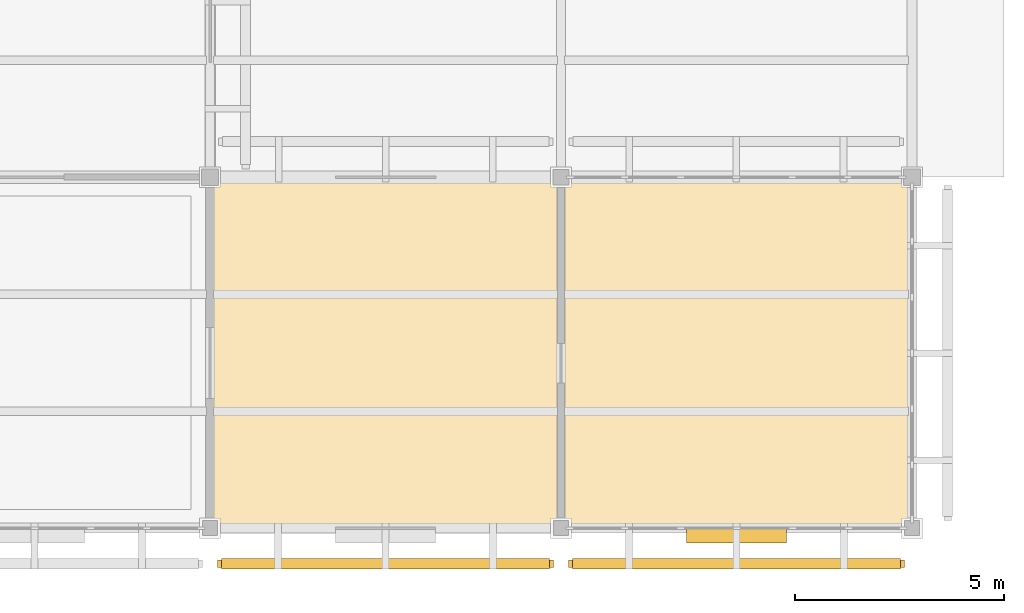
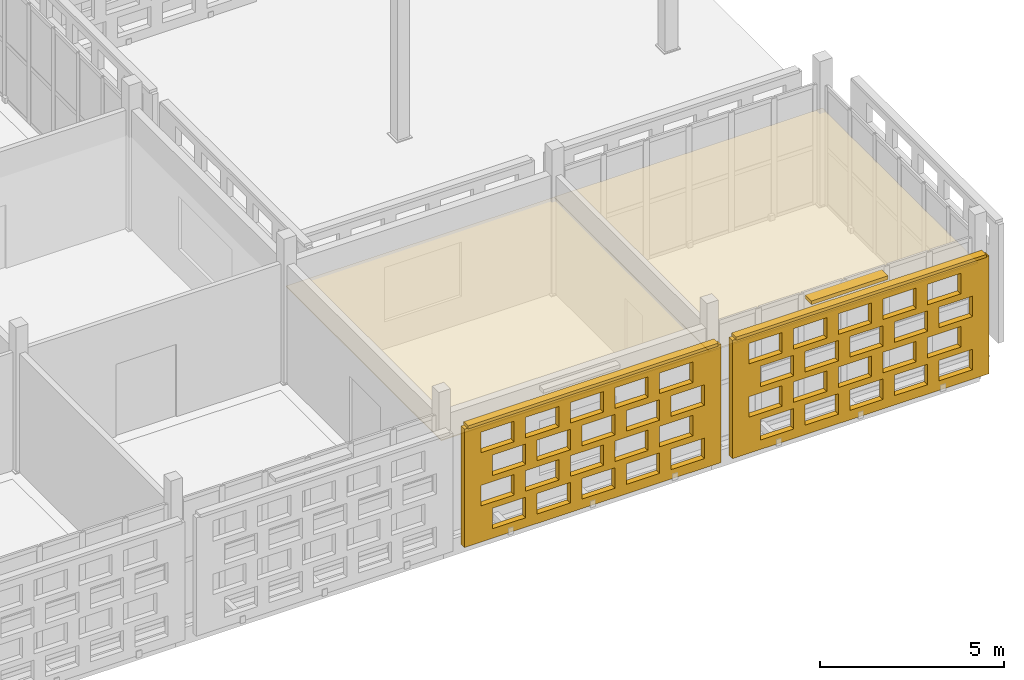
# One storey, part 185 of 203: 4 coverings, 3 shading devices, 40 openings.
"""IFC4 building model written with IfcOpenShell, lengths in metres."""

import ifcopenshell
import ifcopenshell.guid

model = None  # the IFC model being written
_history = None  # IfcOwnerHistory: only IFC2X3 demands one
_inside = {}  # id of a spatial element -> (the spatial element, [elements in it])
_under = {}  # id of a project, library or spatial element -> (it, [spatial elements below it])
_declared = {}  # id of a project -> (the project, [libraries it declares])
_typed = {}  # id of a type object -> (the type object, [elements of that type])
_made_of = {}  # id of a material, layer set ... -> (it, [elements and type objects made of it])


def new_model(schema):
    """Start an empty IFC model of exactly this schema.

    Asked for "IFC4X3", IfcOpenShell would pick the latest addendum, in which some entities
    have other attributes; the version numbers below select the first issue.
    IFC2X3 requires an IfcOwnerHistory on every rooted entity: one is made here for all.
    """
    global model, _history
    if schema == "IFC4X3":
        model = ifcopenshell.file(schema_version=(4, 3, 0, 0))
    else:
        model = ifcopenshell.file(schema=schema)
    _inside.clear()
    _under.clear()
    _declared.clear()
    _typed.clear()
    _made_of.clear()
    _history = None
    if model.schema == "IFC2X3":
        org = make("IfcOrganization", Name="unknown")
        user = make(
            "IfcPersonAndOrganization",
            ThePerson=make("IfcPerson", FamilyName="unknown"),
            TheOrganization=org,
        )
        app = make(
            "IfcApplication",
            ApplicationDeveloper=org,
            Version="unknown",
            ApplicationFullName="unknown",
            ApplicationIdentifier="unknown",
        )
        _history = make(
            "IfcOwnerHistory",
            OwningUser=user,
            OwningApplication=app,
            ChangeAction="ADDED",
            CreationDate=0,
        )
    return model


def make(cls, **values):
    """One entity of the class cls with the attributes given. An attribute that is None is left unset."""
    return model.create_entity(
        cls, **{name: value for name, value in values.items() if value is not None}
    )


def rooted(cls, **values):
    """An entity with a GlobalId (a new one), such as an element, a storey or a relation."""
    return make(cls, GlobalId=ifcopenshell.guid.new(), OwnerHistory=_history, **values)


def si_unit(unit_type, name, prefix=None):
    """IfcSIUnit, for example si_unit("LENGTHUNIT", "METRE", prefix="MILLI")."""
    return make("IfcSIUnit", UnitType=unit_type, Prefix=prefix, Name=name)


def assignment(units):
    """IfcUnitAssignment: the units of a project."""
    return None if units is None else make("IfcUnitAssignment", Units=units)


def point(xyz):
    """IfcCartesianPoint."""
    return None if xyz is None else make("IfcCartesianPoint", Coordinates=xyz)


def direction(xyz):
    """IfcDirection."""
    return None if xyz is None else make("IfcDirection", DirectionRatios=xyz)


def frame(location, z_axis=None, x_axis=None):
    """IfcAxis2Placement3D, a coordinate frame: its origin and axes. An axis left out is left unset."""
    return make(
        "IfcAxis2Placement3D",
        Location=point(location),
        Axis=direction(z_axis),
        RefDirection=direction(x_axis),
    )


def frame_2d(location, x_axis=None):
    """IfcAxis2Placement2D, a coordinate frame in the plane: its origin and x axis."""
    return make(
        "IfcAxis2Placement2D", Location=point(location), RefDirection=direction(x_axis)
    )


def origin():
    """The frame at (0, 0, 0) with its axes left unset."""
    return frame((0.0, 0.0, 0.0))


def origin_2d():
    """The frame at (0, 0) in the plane with its x axis left unset."""
    return frame_2d((0.0, 0.0))


def place(relative_to, where):
    """IfcLocalPlacement: puts the frame where relative to a parent placement (None: the world)."""
    return make(
        "IfcLocalPlacement", PlacementRelTo=relative_to, RelativePlacement=where
    )


def context(
    kind, dimensions, precision=None, world=None, true_north=None, identifier=None
):
    """IfcGeometricRepresentationContext, for example the 3D "Model" context."""
    return make(
        "IfcGeometricRepresentationContext",
        ContextIdentifier=identifier,
        ContextType=kind,
        CoordinateSpaceDimension=dimensions,
        Precision=precision,
        WorldCoordinateSystem=world,
        TrueNorth=true_north,
    )


def subcontext(parent, identifier, kind, view, scale=None):
    """IfcGeometricRepresentationSubContext, for example "Body" below "Model"."""
    return make(
        "IfcGeometricRepresentationSubContext",
        ContextIdentifier=identifier,
        ContextType=kind,
        ParentContext=parent,
        TargetScale=scale,
        TargetView=view,
    )


def project(units=None, contexts=None):
    """IfcProject with its units and contexts."""
    return rooted(
        "IfcProject",
        Name="project",
        RepresentationContexts=contexts,
        UnitsInContext=assignment(units),
    )


def spatial(cls, under=None, at=None, **own):
    """A site, building, storey or space (cls), placed at a placement, below another one or the project."""
    s = rooted(cls, ObjectPlacement=at, **own)
    if under is not None:
        _under.setdefault(under.id(), (under, []))[1].append(s)
    return s


def profile(cls, at=None, kind="AREA", **sizes):
    """A parametric profile (cls). Its sizes go by their IFC names, for example OverallWidth=200.0."""
    return make(cls, ProfileType=kind, Position=at, **sizes)


def rectangle(**sizes):
    """IfcRectangleProfileDef."""
    return profile("IfcRectangleProfileDef", **sizes)


def extrude(swept, where, along, depth):
    """IfcExtrudedAreaSolid: the profile swept, set in the frame where, extruded along a direction by depth."""
    return make(
        "IfcExtrudedAreaSolid",
        SweptArea=swept,
        Position=where,
        ExtrudedDirection=direction(along),
        Depth=depth,
    )


def shape(context_of_items, identifier, shape_type, items):
    """IfcShapeRepresentation: the items that make up one representation, for example the "Body"."""
    return make(
        "IfcShapeRepresentation",
        ContextOfItems=context_of_items,
        RepresentationIdentifier=identifier,
        RepresentationType=shape_type,
        Items=items,
    )


def material(Name=None, Category=None):
    """IfcMaterial."""
    return make("IfcMaterial", Name=Name, Category=Category)


def layer(
    of_material, thickness, ventilated=None, Name=None, Category=None, Priority=None
):
    """IfcMaterialLayer: one layer of a wall or slab, of a material (None: an air gap)."""
    return make(
        "IfcMaterialLayer",
        Material=of_material,
        LayerThickness=thickness,
        IsVentilated=ventilated,
        Name=Name,
        Category=Category,
        Priority=Priority,
    )


def layer_set(layers, Name=None):
    """IfcMaterialLayerSet."""
    return make("IfcMaterialLayerSet", MaterialLayers=layers, LayerSetName=Name)


def made_of(thing, what):
    """Note that an element or type object is made of a material, layer set ...; save() writes the relation."""
    if what is not None:
        _made_of.setdefault(what.id(), (what, []))[1].append(thing)
    return thing


def type_object(cls, material=None, **own):
    """A type object (cls), such as IfcWallType, which elements share."""
    return made_of(rooted(cls, **own), material)


def element(
    cls,
    number,
    at=None,
    inside=None,
    cuts=None,
    type_object=None,
    material=None,
    context=None,
    identifier="Body",
    shape_type=None,
    held_by="IfcProductDefinitionShape",
    body=None,
    shapes=None,
    **own,
):
    """One element of the class cls, such as IfcWall. Its Tag is "e" and its number.

    at: its placement. inside: the storey or other place that contains it. cuts: it is an
    opening in that element (IfcRelVoidsElement). A single representation is given by context,
    identifier, shape_type and body (its items); several are given by shapes. held_by: the class
    of the entity that holds the representations. save() writes the other relations.
    """
    e = rooted(cls, Tag="e%d" % number, ObjectPlacement=at, **own)
    if body is not None:
        shapes = [shape(context, identifier, shape_type, body)]
    if shapes is not None:
        e.Representation = make(held_by, Representations=shapes)
    if inside is not None:
        _inside.setdefault(inside.id(), (inside, []))[1].append(e)
    if cuts is not None:
        rooted(
            "IfcRelVoidsElement", RelatingBuildingElement=cuts, RelatedOpeningElement=e
        )
    if type_object is not None:
        _typed.setdefault(type_object.id(), (type_object, []))[1].append(e)
    return made_of(e, material)


def aggregate(whole, parts):
    """IfcRelAggregates: a whole, such as a stair, and the parts it consists of."""
    return rooted("IfcRelAggregates", RelatingObject=whole, RelatedObjects=parts)


def save(model, path):
    """Write the relations noted so far, then the file.

    IfcRelAggregates (storeys below a building ...), IfcRelContainedInSpatialStructure (elements
    in a storey), IfcRelDefinesByType, IfcRelAssociatesMaterial and IfcRelDeclares: one each for
    every whole, place, type object, material and project.
    """
    for whole, parts in _under.values():
        aggregate(whole, parts)
    for where, things in _inside.values():
        rooted(
            "IfcRelContainedInSpatialStructure",
            RelatedElements=things,
            RelatingStructure=where,
        )
    for kind, things in _typed.values():
        rooted("IfcRelDefinesByType", RelatedObjects=things, RelatingType=kind)
    for what, things in _made_of.values():
        rooted("IfcRelAssociatesMaterial", RelatedObjects=things, RelatingMaterial=what)
    for by, libraries in _declared.values():
        rooted("IfcRelDeclares", RelatingContext=by, RelatedDefinitions=libraries)
    model.write(path)


model = new_model("IFC4")

# Units and contexts
model_context = context("Model", 3, precision=1e-05, world=origin(), true_north=direction((0.0, 1.0)))
body_context = subcontext(model_context, "Body", "Model", "MODEL_VIEW")
ifc_project = project(units=[si_unit("LENGTHUNIT", "METRE"), si_unit("AREAUNIT", "SQUARE_METRE"), si_unit("VOLUMEUNIT", "CUBIC_METRE"), si_unit("PLANEANGLEUNIT", "RADIAN"), si_unit("MASSUNIT", "GRAM", prefix="KILO")], contexts=[model_context])

# Site, building, storey
site_placement = place(None, origin())
site = spatial("IfcSite", under=ifc_project, at=site_placement, CompositionType="ELEMENT")
building_placement = place(site_placement, origin())
building = spatial("IfcBuilding", under=site, at=building_placement, Name="Varnapada Polytechnic", CompositionType="ELEMENT")
storey_placement = place(building_placement, frame((0.0, 0.0, 4.800048828125)))
storey = spatial("IfcBuildingStorey", under=building, at=storey_placement, Name="L01", CompositionType="ELEMENT", Elevation=4.800048828125)

# Shading device
ifc_material_1 = material(Name="Anodised aluminium", Category="aluminium")
ifc_layer_1 = layer(ifc_material_1, 0.35009765625)
ifc_layer_set_1 = layer_set([ifc_layer_1], Name="Anodised aluminium")
shading_device_type_1 = type_object("IfcShadingDeviceType", Name="Solar Louvre LVR-01", PredefinedType="JALOUSIE", material=ifc_layer_set_1)
shading_device_placement = place(storey_placement, frame((172.199951171875, -0.179931640625, 3.760009765625), z_axis=(0.0, 0.0, 1.0), x_axis=(-1.0, 0.0, 0.0)))
element("IfcShadingDevice", 1, at=shading_device_placement, inside=storey, type_object=shading_device_type_1, Name="L01 aluminium sun louvre 136", PredefinedType="JALOUSIE", context=body_context, shape_type="SweptSolid", body=[
    extrude(rectangle(XDim=2.39990234375, YDim=0.340087890625, at=origin_2d()), origin(), (0.0, 0.0, 1.0), 0.1201171875),
])

# Coverings
ifc_material_2 = material(Name="Perforated Timber Slatted Baffle Ceiling", Category="wood")
ifc_layer_2 = layer(ifc_material_2, 0.050048828125)
ifc_layer_set_2 = layer_set([ifc_layer_2], Name="Perforated Timber Slatted Baffle Ceiling")
covering_type_1 = type_object("IfcCoveringType", Name="Suspended Ceiling CLG-02", PredefinedType="CEILING", material=ifc_layer_set_2)
covering_1_placement = place(storey_placement, frame((172.199951171875, 4.199951171875, 3.02490234375), z_axis=(0.0, 0.0, 1.0), x_axis=(1.0, 0.0, 0.0)))
element("IfcCovering", 2, at=covering_1_placement, inside=storey, type_object=covering_type_1, Name="L01 suspended acoustic ceiling (21,1)", PredefinedType="CEILING", context=body_context, shape_type="SweptSolid", body=[
    extrude(rectangle(XDim=8.419921875, YDim=8.419921875, at=origin_2d()), origin(), (0.0, 0.0, 1.0), 0.050048828125),
])
ifc_material_3 = material(Name="Cleanroom Laboratory Metal Pan Ceiling")
ifc_layer_3 = layer(ifc_material_3, 0.034912109375)
ifc_layer_set_3 = layer_set([ifc_layer_3], Name="Cleanroom Laboratory Metal Pan Ceiling")
covering_type_2 = type_object("IfcCoveringType", Name="Suspended Ceiling CLG-06", PredefinedType="CEILING", material=ifc_layer_set_3)
covering_2_placement = place(storey_placement, frame((163.800048828125, 4.199951171875, 3.03271484375), z_axis=(0.0, 0.0, 1.0), x_axis=(1.0, 0.0, 0.0)))
element("IfcCovering", 3, at=covering_2_placement, inside=storey, type_object=covering_type_2, Name="L01 suspended acoustic ceiling (20,1)", PredefinedType="CEILING", context=body_context, shape_type="SweptSolid", body=[
    extrude(rectangle(XDim=8.419921875, YDim=8.419921875, at=origin_2d()), origin(), (0.0, 0.0, 1.0), 0.034912109375),
])

# Covering, openings
ifc_material_4 = material(Name="Earth-toned architectural terracotta screen block", Category="masonry")
ifc_layer_4 = layer(ifc_material_4, 0.1201171875)
ifc_layer_set_4 = layer_set([ifc_layer_4], Name="Earth-toned architectural terracotta screen block")
covering_type_3 = type_object("IfcCoveringType", Name="Terracotta Screen Cladding CLD-01", PredefinedType="CLADDING", material=ifc_layer_set_4)
covering_3_placement = place(storey_placement, frame((167.820068359375, -0.85009765625, 0.0), z_axis=(0.0, 0.0, 1.0), x_axis=(-1.0, 0.0, 0.0)))
covering_3 = element("IfcCovering", 4, at=covering_3_placement, inside=storey, type_object=covering_type_3, Name="L01 perforated terracotta block screen (130)", PredefinedType="CLADDING", context=body_context, shape_type="SweptSolid", body=[
    extrude(rectangle(XDim=8.0400390625, YDim=0.179931640625, at=frame_2d((4.02001953125, 0.0))), origin(), (0.0, 0.0, 1.0), 3.919921875),
])
opening_1_placement = place(covering_3_placement, frame((0.52001953125, 0.0, 0.313720703125)))
element("IfcOpeningElement", 5, at=opening_1_placement, cuts=covering_3, Name="Screen perforation TBS-L01-129.1", PredefinedType="OPENING", context=body_context, shape_type="SweptSolid", body=[
    extrude(rectangle(XDim=1.0400390625, YDim=0.679931640625, at=frame_2d((0.52001953125, 0.33984375))), frame((0.0, 0.099853515625, 0.0), z_axis=(0.0, -1.0, 0.0), x_axis=(1.0, 0.0, 0.0)), (0.0, 0.0, 1.0), 0.199951171875),
])
opening_2_placement = place(covering_3_placement, frame((1.919921875, 0.0, 0.313720703125)))
element("IfcOpeningElement", 6, at=opening_2_placement, cuts=covering_3, Name="Screen perforation TBS-L01-129.2", PredefinedType="OPENING", context=body_context, shape_type="SweptSolid", body=[
    extrude(rectangle(XDim=1.0400390625, YDim=0.679931640625, at=frame_2d((0.52001953125, 0.33984375))), frame((0.0, 0.099853515625, 0.0), z_axis=(0.0, -1.0, 0.0), x_axis=(1.0, 0.0, 0.0)), (0.0, 0.0, 1.0), 0.199951171875),
])
opening_3_placement = place(covering_3_placement, frame((3.320068359375, 0.0, 0.313720703125)))
element("IfcOpeningElement", 7, at=opening_3_placement, cuts=covering_3, Name="Screen perforation TBS-L01-129.3", PredefinedType="OPENING", context=body_context, shape_type="SweptSolid", body=[
    extrude(rectangle(XDim=1.0400390625, YDim=0.679931640625, at=frame_2d((0.52001953125, 0.33984375))), frame((0.0, 0.099853515625, 0.0), z_axis=(0.0, -1.0, 0.0), x_axis=(1.0, 0.0, 0.0)), (0.0, 0.0, 1.0), 0.199951171875),
])
opening_4_placement = place(covering_3_placement, frame((4.719970703125, 0.0, 0.313720703125)))
element("IfcOpeningElement", 8, at=opening_4_placement, cuts=covering_3, Name="Screen perforation TBS-L01-129.4", PredefinedType="OPENING", context=body_context, shape_type="SweptSolid", body=[
    extrude(rectangle(XDim=1.0400390625, YDim=0.679931640625, at=frame_2d((0.52001953125, 0.33984375))), frame((0.0, 0.099853515625, 0.0), z_axis=(0.0, -1.0, 0.0), x_axis=(1.0, 0.0, 0.0)), (0.0, 0.0, 1.0), 0.199951171875),
])
opening_5_placement = place(covering_3_placement, frame((6.1201171875, 0.0, 0.313720703125)))
element("IfcOpeningElement", 9, at=opening_5_placement, cuts=covering_3, Name="Screen perforation TBS-L01-129.5", PredefinedType="OPENING", context=body_context, shape_type="SweptSolid", body=[
    extrude(rectangle(XDim=1.0400390625, YDim=0.679931640625, at=frame_2d((0.52001953125, 0.33984375))), frame((0.0, 0.099853515625, 0.0), z_axis=(0.0, -1.0, 0.0), x_axis=(1.0, 0.0, 0.0)), (0.0, 0.0, 1.0), 0.199951171875),
])
opening_6_placement = place(covering_3_placement, frame((0.8798828125, 0.0, 1.195556640625)))
element("IfcOpeningElement", 10, at=opening_6_placement, cuts=covering_3, Name="Screen perforation TBS-L01-129.6", PredefinedType="OPENING", context=body_context, shape_type="SweptSolid", body=[
    extrude(rectangle(XDim=1.0400390625, YDim=0.679931640625, at=frame_2d((0.52001953125, 0.33984375))), frame((0.0, 0.099853515625, 0.0), z_axis=(0.0, -1.0, 0.0), x_axis=(1.0, 0.0, 0.0)), (0.0, 0.0, 1.0), 0.199951171875),
])
opening_7_placement = place(covering_3_placement, frame((2.280029296875, 0.0, 1.195556640625)))
element("IfcOpeningElement", 11, at=opening_7_placement, cuts=covering_3, Name="Screen perforation TBS-L01-129.7", PredefinedType="OPENING", context=body_context, shape_type="SweptSolid", body=[
    extrude(rectangle(XDim=1.0400390625, YDim=0.679931640625, at=frame_2d((0.52001953125, 0.33984375))), frame((0.0, 0.099853515625, 0.0), z_axis=(0.0, -1.0, 0.0), x_axis=(1.0, 0.0, 0.0)), (0.0, 0.0, 1.0), 0.199951171875),
])
opening_8_placement = place(covering_3_placement, frame((3.679931640625, 0.0, 1.195556640625)))
element("IfcOpeningElement", 12, at=opening_8_placement, cuts=covering_3, Name="Screen perforation TBS-L01-129.8", PredefinedType="OPENING", context=body_context, shape_type="SweptSolid", body=[
    extrude(rectangle(XDim=1.0400390625, YDim=0.679931640625, at=frame_2d((0.52001953125, 0.33984375))), frame((0.0, 0.099853515625, 0.0), z_axis=(0.0, -1.0, 0.0), x_axis=(1.0, 0.0, 0.0)), (0.0, 0.0, 1.0), 0.199951171875),
])
opening_9_placement = place(covering_3_placement, frame((5.080078125, 0.0, 1.195556640625)))
element("IfcOpeningElement", 13, at=opening_9_placement, cuts=covering_3, Name="Screen perforation TBS-L01-129.9", PredefinedType="OPENING", context=body_context, shape_type="SweptSolid", body=[
    extrude(rectangle(XDim=1.0400390625, YDim=0.679931640625, at=frame_2d((0.52001953125, 0.33984375))), frame((0.0, 0.099853515625, 0.0), z_axis=(0.0, -1.0, 0.0), x_axis=(1.0, 0.0, 0.0)), (0.0, 0.0, 1.0), 0.199951171875),
])
opening_10_placement = place(covering_3_placement, frame((6.47998046875, 0.0, 1.195556640625)))
element("IfcOpeningElement", 14, at=opening_10_placement, cuts=covering_3, Name="Screen perforation TBS-L01-129.10", PredefinedType="OPENING", context=body_context, shape_type="SweptSolid", body=[
    extrude(rectangle(XDim=1.0400390625, YDim=0.679931640625, at=frame_2d((0.52001953125, 0.33984375))), frame((0.0, 0.099853515625, 0.0), z_axis=(0.0, -1.0, 0.0), x_axis=(1.0, 0.0, 0.0)), (0.0, 0.0, 1.0), 0.199951171875),
])
opening_11_placement = place(covering_3_placement, frame((0.52001953125, 0.0, 2.07763671875)))
element("IfcOpeningElement", 15, at=opening_11_placement, cuts=covering_3, Name="Screen perforation TBS-L01-129.11", PredefinedType="OPENING", context=body_context, shape_type="SweptSolid", body=[
    extrude(rectangle(XDim=1.0400390625, YDim=0.679931640625, at=frame_2d((0.52001953125, 0.33984375))), frame((0.0, 0.099853515625, 0.0), z_axis=(0.0, -1.0, 0.0), x_axis=(1.0, 0.0, 0.0)), (0.0, 0.0, 1.0), 0.199951171875),
])
opening_12_placement = place(covering_3_placement, frame((1.919921875, 0.0, 2.07763671875)))
element("IfcOpeningElement", 16, at=opening_12_placement, cuts=covering_3, Name="Screen perforation TBS-L01-129.12", PredefinedType="OPENING", context=body_context, shape_type="SweptSolid", body=[
    extrude(rectangle(XDim=1.0400390625, YDim=0.679931640625, at=frame_2d((0.52001953125, 0.33984375))), frame((0.0, 0.099853515625, 0.0), z_axis=(0.0, -1.0, 0.0), x_axis=(1.0, 0.0, 0.0)), (0.0, 0.0, 1.0), 0.199951171875),
])
opening_13_placement = place(covering_3_placement, frame((3.320068359375, 0.0, 2.07763671875)))
element("IfcOpeningElement", 17, at=opening_13_placement, cuts=covering_3, Name="Screen perforation TBS-L01-129.13", PredefinedType="OPENING", context=body_context, shape_type="SweptSolid", body=[
    extrude(rectangle(XDim=1.0400390625, YDim=0.679931640625, at=frame_2d((0.52001953125, 0.33984375))), frame((0.0, 0.099853515625, 0.0), z_axis=(0.0, -1.0, 0.0), x_axis=(1.0, 0.0, 0.0)), (0.0, 0.0, 1.0), 0.199951171875),
])
opening_14_placement = place(covering_3_placement, frame((4.719970703125, 0.0, 2.07763671875)))
element("IfcOpeningElement", 18, at=opening_14_placement, cuts=covering_3, Name="Screen perforation TBS-L01-129.14", PredefinedType="OPENING", context=body_context, shape_type="SweptSolid", body=[
    extrude(rectangle(XDim=1.0400390625, YDim=0.679931640625, at=frame_2d((0.52001953125, 0.33984375))), frame((0.0, 0.099853515625, 0.0), z_axis=(0.0, -1.0, 0.0), x_axis=(1.0, 0.0, 0.0)), (0.0, 0.0, 1.0), 0.199951171875),
])
opening_15_placement = place(covering_3_placement, frame((6.1201171875, 0.0, 2.07763671875)))
element("IfcOpeningElement", 19, at=opening_15_placement, cuts=covering_3, Name="Screen perforation TBS-L01-129.15", PredefinedType="OPENING", context=body_context, shape_type="SweptSolid", body=[
    extrude(rectangle(XDim=1.0400390625, YDim=0.679931640625, at=frame_2d((0.52001953125, 0.33984375))), frame((0.0, 0.099853515625, 0.0), z_axis=(0.0, -1.0, 0.0), x_axis=(1.0, 0.0, 0.0)), (0.0, 0.0, 1.0), 0.199951171875),
])
opening_16_placement = place(covering_3_placement, frame((0.8798828125, 0.0, 2.959716796875)))
element("IfcOpeningElement", 20, at=opening_16_placement, cuts=covering_3, Name="Screen perforation TBS-L01-129.16", PredefinedType="OPENING", context=body_context, shape_type="SweptSolid", body=[
    extrude(rectangle(XDim=1.0400390625, YDim=0.679931640625, at=frame_2d((0.52001953125, 0.33984375))), frame((0.0, 0.099853515625, 0.0), z_axis=(0.0, -1.0, 0.0), x_axis=(1.0, 0.0, 0.0)), (0.0, 0.0, 1.0), 0.199951171875),
])
opening_17_placement = place(covering_3_placement, frame((2.280029296875, 0.0, 2.959716796875)))
element("IfcOpeningElement", 21, at=opening_17_placement, cuts=covering_3, Name="Screen perforation TBS-L01-129.17", PredefinedType="OPENING", context=body_context, shape_type="SweptSolid", body=[
    extrude(rectangle(XDim=1.0400390625, YDim=0.679931640625, at=frame_2d((0.52001953125, 0.33984375))), frame((0.0, 0.099853515625, 0.0), z_axis=(0.0, -1.0, 0.0), x_axis=(1.0, 0.0, 0.0)), (0.0, 0.0, 1.0), 0.199951171875),
])
opening_18_placement = place(covering_3_placement, frame((3.679931640625, 0.0, 2.959716796875)))
element("IfcOpeningElement", 22, at=opening_18_placement, cuts=covering_3, Name="Screen perforation TBS-L01-129.18", PredefinedType="OPENING", context=body_context, shape_type="SweptSolid", body=[
    extrude(rectangle(XDim=1.0400390625, YDim=0.679931640625, at=frame_2d((0.52001953125, 0.33984375))), frame((0.0, 0.099853515625, 0.0), z_axis=(0.0, -1.0, 0.0), x_axis=(1.0, 0.0, 0.0)), (0.0, 0.0, 1.0), 0.199951171875),
])
opening_19_placement = place(covering_3_placement, frame((5.080078125, 0.0, 2.959716796875)))
element("IfcOpeningElement", 23, at=opening_19_placement, cuts=covering_3, Name="Screen perforation TBS-L01-129.19", PredefinedType="OPENING", context=body_context, shape_type="SweptSolid", body=[
    extrude(rectangle(XDim=1.0400390625, YDim=0.679931640625, at=frame_2d((0.52001953125, 0.33984375))), frame((0.0, 0.099853515625, 0.0), z_axis=(0.0, -1.0, 0.0), x_axis=(1.0, 0.0, 0.0)), (0.0, 0.0, 1.0), 0.199951171875),
])
opening_20_placement = place(covering_3_placement, frame((6.47998046875, 0.0, 2.959716796875)))
element("IfcOpeningElement", 24, at=opening_20_placement, cuts=covering_3, Name="Screen perforation TBS-L01-129.20", PredefinedType="OPENING", context=body_context, shape_type="SweptSolid", body=[
    extrude(rectangle(XDim=1.0400390625, YDim=0.679931640625, at=frame_2d((0.52001953125, 0.33984375))), frame((0.0, 0.099853515625, 0.0), z_axis=(0.0, -1.0, 0.0), x_axis=(1.0, 0.0, 0.0)), (0.0, 0.0, 1.0), 0.199951171875),
])

covering_4_placement = place(storey_placement, frame((176.219970703125, -0.85009765625, 0.0), z_axis=(0.0, 0.0, 1.0), x_axis=(-1.0, 0.0, 0.0)))
covering_4 = element("IfcCovering", 25, at=covering_4_placement, inside=storey, type_object=covering_type_3, Name="L01 perforated terracotta block screen (136)", PredefinedType="CLADDING", context=body_context, shape_type="SweptSolid", body=[
    extrude(rectangle(XDim=8.0400390625, YDim=0.179931640625, at=frame_2d((4.02001953125, 0.0))), origin(), (0.0, 0.0, 1.0), 3.919921875),
])
opening_21_placement = place(covering_4_placement, frame((0.52001953125, 0.0, 0.313720703125)))
element("IfcOpeningElement", 26, at=opening_21_placement, cuts=covering_4, Name="Screen perforation TBS-L01-135.1", PredefinedType="OPENING", context=body_context, shape_type="SweptSolid", body=[
    extrude(rectangle(XDim=1.0400390625, YDim=0.679931640625, at=frame_2d((0.52001953125, 0.33984375))), frame((0.0, 0.099853515625, 0.0), z_axis=(0.0, -1.0, 0.0), x_axis=(1.0, 0.0, 0.0)), (0.0, 0.0, 1.0), 0.199951171875),
])
opening_22_placement = place(covering_4_placement, frame((1.919921875, 0.0, 0.313720703125)))
element("IfcOpeningElement", 27, at=opening_22_placement, cuts=covering_4, Name="Screen perforation TBS-L01-135.2", PredefinedType="OPENING", context=body_context, shape_type="SweptSolid", body=[
    extrude(rectangle(XDim=1.0400390625, YDim=0.679931640625, at=frame_2d((0.52001953125, 0.33984375))), frame((0.0, 0.099853515625, 0.0), z_axis=(0.0, -1.0, 0.0), x_axis=(1.0, 0.0, 0.0)), (0.0, 0.0, 1.0), 0.199951171875),
])
opening_23_placement = place(covering_4_placement, frame((3.320068359375, 0.0, 0.313720703125)))
element("IfcOpeningElement", 28, at=opening_23_placement, cuts=covering_4, Name="Screen perforation TBS-L01-135.3", PredefinedType="OPENING", context=body_context, shape_type="SweptSolid", body=[
    extrude(rectangle(XDim=1.0400390625, YDim=0.679931640625, at=frame_2d((0.52001953125, 0.33984375))), frame((0.0, 0.099853515625, 0.0), z_axis=(0.0, -1.0, 0.0), x_axis=(1.0, 0.0, 0.0)), (0.0, 0.0, 1.0), 0.199951171875),
])
opening_24_placement = place(covering_4_placement, frame((4.719970703125, 0.0, 0.313720703125)))
element("IfcOpeningElement", 29, at=opening_24_placement, cuts=covering_4, Name="Screen perforation TBS-L01-135.4", PredefinedType="OPENING", context=body_context, shape_type="SweptSolid", body=[
    extrude(rectangle(XDim=1.0400390625, YDim=0.679931640625, at=frame_2d((0.52001953125, 0.33984375))), frame((0.0, 0.099853515625, 0.0), z_axis=(0.0, -1.0, 0.0), x_axis=(1.0, 0.0, 0.0)), (0.0, 0.0, 1.0), 0.199951171875),
])
opening_25_placement = place(covering_4_placement, frame((6.1201171875, 0.0, 0.313720703125)))
element("IfcOpeningElement", 30, at=opening_25_placement, cuts=covering_4, Name="Screen perforation TBS-L01-135.5", PredefinedType="OPENING", context=body_context, shape_type="SweptSolid", body=[
    extrude(rectangle(XDim=1.0400390625, YDim=0.679931640625, at=frame_2d((0.52001953125, 0.33984375))), frame((0.0, 0.099853515625, 0.0), z_axis=(0.0, -1.0, 0.0), x_axis=(1.0, 0.0, 0.0)), (0.0, 0.0, 1.0), 0.199951171875),
])
opening_26_placement = place(covering_4_placement, frame((0.8798828125, 0.0, 1.195556640625)))
element("IfcOpeningElement", 31, at=opening_26_placement, cuts=covering_4, Name="Screen perforation TBS-L01-135.6", PredefinedType="OPENING", context=body_context, shape_type="SweptSolid", body=[
    extrude(rectangle(XDim=1.0400390625, YDim=0.679931640625, at=frame_2d((0.52001953125, 0.33984375))), frame((0.0, 0.099853515625, 0.0), z_axis=(0.0, -1.0, 0.0), x_axis=(1.0, 0.0, 0.0)), (0.0, 0.0, 1.0), 0.199951171875),
])
opening_27_placement = place(covering_4_placement, frame((2.280029296875, 0.0, 1.195556640625)))
element("IfcOpeningElement", 32, at=opening_27_placement, cuts=covering_4, Name="Screen perforation TBS-L01-135.7", PredefinedType="OPENING", context=body_context, shape_type="SweptSolid", body=[
    extrude(rectangle(XDim=1.0400390625, YDim=0.679931640625, at=frame_2d((0.52001953125, 0.33984375))), frame((0.0, 0.099853515625, 0.0), z_axis=(0.0, -1.0, 0.0), x_axis=(1.0, 0.0, 0.0)), (0.0, 0.0, 1.0), 0.199951171875),
])
opening_28_placement = place(covering_4_placement, frame((3.679931640625, 0.0, 1.195556640625)))
element("IfcOpeningElement", 33, at=opening_28_placement, cuts=covering_4, Name="Screen perforation TBS-L01-135.8", PredefinedType="OPENING", context=body_context, shape_type="SweptSolid", body=[
    extrude(rectangle(XDim=1.0400390625, YDim=0.679931640625, at=frame_2d((0.52001953125, 0.33984375))), frame((0.0, 0.099853515625, 0.0), z_axis=(0.0, -1.0, 0.0), x_axis=(1.0, 0.0, 0.0)), (0.0, 0.0, 1.0), 0.199951171875),
])
opening_29_placement = place(covering_4_placement, frame((5.080078125, 0.0, 1.195556640625)))
element("IfcOpeningElement", 34, at=opening_29_placement, cuts=covering_4, Name="Screen perforation TBS-L01-135.9", PredefinedType="OPENING", context=body_context, shape_type="SweptSolid", body=[
    extrude(rectangle(XDim=1.0400390625, YDim=0.679931640625, at=frame_2d((0.52001953125, 0.33984375))), frame((0.0, 0.099853515625, 0.0), z_axis=(0.0, -1.0, 0.0), x_axis=(1.0, 0.0, 0.0)), (0.0, 0.0, 1.0), 0.199951171875),
])
opening_30_placement = place(covering_4_placement, frame((6.47998046875, 0.0, 1.195556640625)))
element("IfcOpeningElement", 35, at=opening_30_placement, cuts=covering_4, Name="Screen perforation TBS-L01-135.10", PredefinedType="OPENING", context=body_context, shape_type="SweptSolid", body=[
    extrude(rectangle(XDim=1.0400390625, YDim=0.679931640625, at=frame_2d((0.52001953125, 0.33984375))), frame((0.0, 0.099853515625, 0.0), z_axis=(0.0, -1.0, 0.0), x_axis=(1.0, 0.0, 0.0)), (0.0, 0.0, 1.0), 0.199951171875),
])
opening_31_placement = place(covering_4_placement, frame((0.52001953125, 0.0, 2.07763671875)))
element("IfcOpeningElement", 36, at=opening_31_placement, cuts=covering_4, Name="Screen perforation TBS-L01-135.11", PredefinedType="OPENING", context=body_context, shape_type="SweptSolid", body=[
    extrude(rectangle(XDim=1.0400390625, YDim=0.679931640625, at=frame_2d((0.52001953125, 0.33984375))), frame((0.0, 0.099853515625, 0.0), z_axis=(0.0, -1.0, 0.0), x_axis=(1.0, 0.0, 0.0)), (0.0, 0.0, 1.0), 0.199951171875),
])
opening_32_placement = place(covering_4_placement, frame((1.919921875, 0.0, 2.07763671875)))
element("IfcOpeningElement", 37, at=opening_32_placement, cuts=covering_4, Name="Screen perforation TBS-L01-135.12", PredefinedType="OPENING", context=body_context, shape_type="SweptSolid", body=[
    extrude(rectangle(XDim=1.0400390625, YDim=0.679931640625, at=frame_2d((0.52001953125, 0.33984375))), frame((0.0, 0.099853515625, 0.0), z_axis=(0.0, -1.0, 0.0), x_axis=(1.0, 0.0, 0.0)), (0.0, 0.0, 1.0), 0.199951171875),
])
opening_33_placement = place(covering_4_placement, frame((3.320068359375, 0.0, 2.07763671875)))
element("IfcOpeningElement", 38, at=opening_33_placement, cuts=covering_4, Name="Screen perforation TBS-L01-135.13", PredefinedType="OPENING", context=body_context, shape_type="SweptSolid", body=[
    extrude(rectangle(XDim=1.0400390625, YDim=0.679931640625, at=frame_2d((0.52001953125, 0.33984375))), frame((0.0, 0.099853515625, 0.0), z_axis=(0.0, -1.0, 0.0), x_axis=(1.0, 0.0, 0.0)), (0.0, 0.0, 1.0), 0.199951171875),
])
opening_34_placement = place(covering_4_placement, frame((4.719970703125, 0.0, 2.07763671875)))
element("IfcOpeningElement", 39, at=opening_34_placement, cuts=covering_4, Name="Screen perforation TBS-L01-135.14", PredefinedType="OPENING", context=body_context, shape_type="SweptSolid", body=[
    extrude(rectangle(XDim=1.0400390625, YDim=0.679931640625, at=frame_2d((0.52001953125, 0.33984375))), frame((0.0, 0.099853515625, 0.0), z_axis=(0.0, -1.0, 0.0), x_axis=(1.0, 0.0, 0.0)), (0.0, 0.0, 1.0), 0.199951171875),
])
opening_35_placement = place(covering_4_placement, frame((6.1201171875, 0.0, 2.07763671875)))
element("IfcOpeningElement", 40, at=opening_35_placement, cuts=covering_4, Name="Screen perforation TBS-L01-135.15", PredefinedType="OPENING", context=body_context, shape_type="SweptSolid", body=[
    extrude(rectangle(XDim=1.0400390625, YDim=0.679931640625, at=frame_2d((0.52001953125, 0.33984375))), frame((0.0, 0.099853515625, 0.0), z_axis=(0.0, -1.0, 0.0), x_axis=(1.0, 0.0, 0.0)), (0.0, 0.0, 1.0), 0.199951171875),
])
opening_36_placement = place(covering_4_placement, frame((0.8798828125, 0.0, 2.959716796875)))
element("IfcOpeningElement", 41, at=opening_36_placement, cuts=covering_4, Name="Screen perforation TBS-L01-135.16", PredefinedType="OPENING", context=body_context, shape_type="SweptSolid", body=[
    extrude(rectangle(XDim=1.0400390625, YDim=0.679931640625, at=frame_2d((0.52001953125, 0.33984375))), frame((0.0, 0.099853515625, 0.0), z_axis=(0.0, -1.0, 0.0), x_axis=(1.0, 0.0, 0.0)), (0.0, 0.0, 1.0), 0.199951171875),
])
opening_37_placement = place(covering_4_placement, frame((2.280029296875, 0.0, 2.959716796875)))
element("IfcOpeningElement", 42, at=opening_37_placement, cuts=covering_4, Name="Screen perforation TBS-L01-135.17", PredefinedType="OPENING", context=body_context, shape_type="SweptSolid", body=[
    extrude(rectangle(XDim=1.0400390625, YDim=0.679931640625, at=frame_2d((0.52001953125, 0.33984375))), frame((0.0, 0.099853515625, 0.0), z_axis=(0.0, -1.0, 0.0), x_axis=(1.0, 0.0, 0.0)), (0.0, 0.0, 1.0), 0.199951171875),
])
opening_38_placement = place(covering_4_placement, frame((3.679931640625, 0.0, 2.959716796875)))
element("IfcOpeningElement", 43, at=opening_38_placement, cuts=covering_4, Name="Screen perforation TBS-L01-135.18", PredefinedType="OPENING", context=body_context, shape_type="SweptSolid", body=[
    extrude(rectangle(XDim=1.0400390625, YDim=0.679931640625, at=frame_2d((0.52001953125, 0.33984375))), frame((0.0, 0.099853515625, 0.0), z_axis=(0.0, -1.0, 0.0), x_axis=(1.0, 0.0, 0.0)), (0.0, 0.0, 1.0), 0.199951171875),
])
opening_39_placement = place(covering_4_placement, frame((5.080078125, 0.0, 2.959716796875)))
element("IfcOpeningElement", 44, at=opening_39_placement, cuts=covering_4, Name="Screen perforation TBS-L01-135.19", PredefinedType="OPENING", context=body_context, shape_type="SweptSolid", body=[
    extrude(rectangle(XDim=1.0400390625, YDim=0.679931640625, at=frame_2d((0.52001953125, 0.33984375))), frame((0.0, 0.099853515625, 0.0), z_axis=(0.0, -1.0, 0.0), x_axis=(1.0, 0.0, 0.0)), (0.0, 0.0, 1.0), 0.199951171875),
])
opening_40_placement = place(covering_4_placement, frame((6.47998046875, 0.0, 2.959716796875)))
element("IfcOpeningElement", 45, at=opening_40_placement, cuts=covering_4, Name="Screen perforation TBS-L01-135.20", PredefinedType="OPENING", context=body_context, shape_type="SweptSolid", body=[
    extrude(rectangle(XDim=1.0400390625, YDim=0.679931640625, at=frame_2d((0.52001953125, 0.33984375))), frame((0.0, 0.099853515625, 0.0), z_axis=(0.0, -1.0, 0.0), x_axis=(1.0, 0.0, 0.0)), (0.0, 0.0, 1.0), 0.199951171875),
])

# Shading devices
ifc_layer_5 = layer(ifc_material_4, 0.179931640625)
ifc_layer_set_5 = layer_set([ifc_layer_5], Name="Earth-toned architectural terracotta screen block")
shading_device_type_2 = type_object("IfcShadingDeviceType", Name="Terracotta Screen SCR-02", PredefinedType="USERDEFINED", material=ifc_layer_set_5)
for number, where, z_axis, x_axis, name in (
    (46, (163.800048828125, -0.85009765625, 3.909912109375), (0.0, 0.0, 1.0), (-1.0, 0.0, 0.0), "L01 perforated terracotta screen hood 208"),
    (47, (172.199951171875, -0.85009765625, 3.909912109375), (0.0, 0.0, 1.0), (-1.0, 0.0, 0.0), "L01 perforated terracotta screen hood 214"),
):
    element("IfcShadingDevice", number, at=place(storey_placement, frame(where, z_axis=z_axis, x_axis=x_axis)), inside=storey, type_object=shading_device_type_2, Name=name, ObjectType="SCREEN", PredefinedType="USERDEFINED", context=body_context, shape_type="SweptSolid", body=[
        extrude(rectangle(XDim=7.840087890625, YDim=0.239990234375, at=origin_2d()), origin(), (0.0, 0.0, 1.0), 0.10009765625),
    ])

save(model, "model.ifc")
